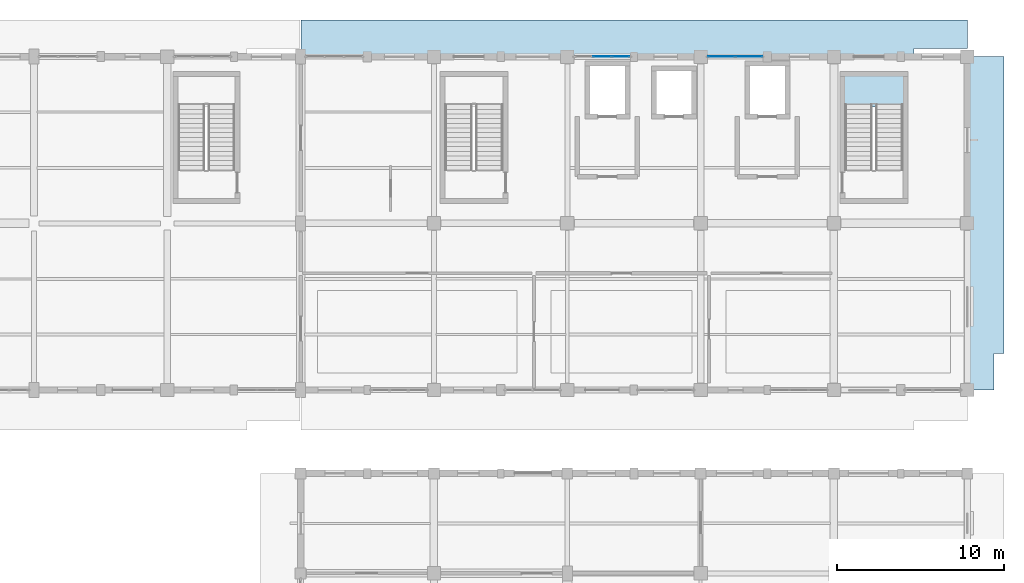
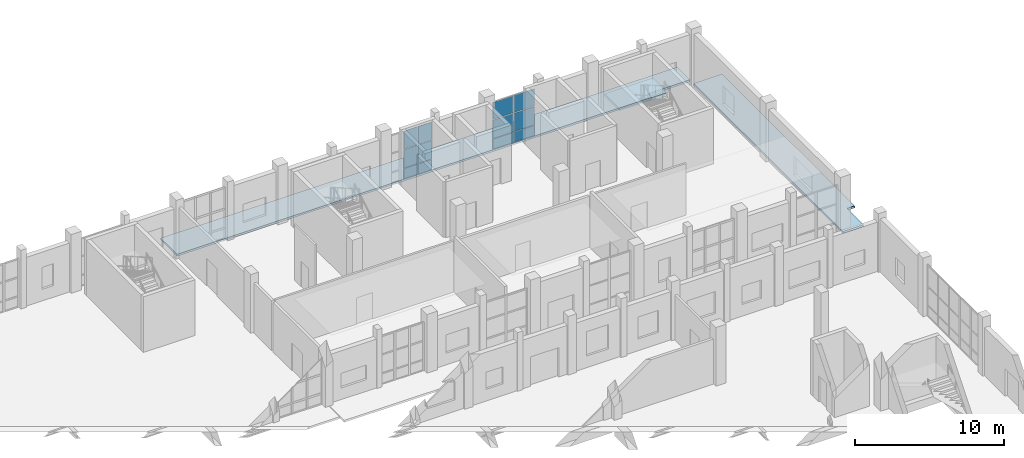
# One storey, part 119 of 156: 12 plates, 3 slabs, 3 elements without a shape of their own.
"""IFC4 building model written with IfcOpenShell, lengths in metres."""

from ifc_helpers import new_model, si_unit, direction, frame, origin, origin_2d, place, context, subcontext, project, spatial, polyline, rectangle, outline, extrude, material, layer, layer_set, type_object, element, aggregate, save


model = new_model("IFC4")

# Units and contexts
model_context = context("Model", 3, precision=1e-05, world=origin(), true_north=direction((0.0, 1.0)))
body_context = subcontext(model_context, "Body", "Model", "MODEL_VIEW")
ifc_project = project(units=[si_unit("LENGTHUNIT", "METRE"), si_unit("AREAUNIT", "SQUARE_METRE"), si_unit("VOLUMEUNIT", "CUBIC_METRE"), si_unit("PLANEANGLEUNIT", "RADIAN"), si_unit("MASSUNIT", "GRAM", prefix="KILO")], contexts=[model_context])

# Site, building, storey
site_placement = place(None, origin())
site = spatial("IfcSite", under=ifc_project, at=site_placement, CompositionType="ELEMENT")
building_placement = place(site_placement, origin())
building = spatial("IfcBuilding", under=site, at=building_placement, Name="Luwemba Playhouse", CompositionType="ELEMENT")
storey_placement = place(building_placement, origin())
storey = spatial("IfcBuildingStorey", under=building, at=storey_placement, Name="L00", CompositionType="ELEMENT", Elevation=0.0)

# Curtain wall, plates
ifc_material_1 = material(Name="Solar-control double glazing", Category="glass")
curtain_wall_type_1 = type_object("IfcCurtainWallType", Name="CW-CW68", PredefinedType="USERDEFINED", material=ifc_material_1)
curtain_wall_1_placement = place(storey_placement, origin())
curtain_wall_1 = element("IfcCurtainWall", 1, at=curtain_wall_1_placement, inside=storey, type_object=curtain_wall_type_1, Name="L00 V6E unitised curtain wall 087", ObjectType="UNITISED GLAZING", PredefinedType="USERDEFINED")
ifc_layer_1 = layer(ifc_material_1, 0.02392578125)
ifc_layer_set_1 = layer_set([ifc_layer_1], Name="Solar-control double glazing")
plate_type_1 = type_object("IfcPlateType", Name="CWP-P1", PredefinedType="CURTAIN_PANEL", material=ifc_layer_set_1)
plate_1_placement = place(storey_placement, frame((157.25244140625, 115.0, 0.06005859375), z_axis=(0.0, 0.0, 1.0), x_axis=(1.0, 0.0, 0.0)))
plate_1 = element("IfcPlate", 2, at=plate_1_placement, type_object=plate_type_1, Name="CW68 panel 1.1", PredefinedType="CURTAIN_PANEL", context=body_context, shape_type="SweptSolid", body=[
    extrude(rectangle(XDim=1.5849609375, YDim=0.02392578125, at=origin_2d()), origin(), (0.0, 0.0, 1.0), 0.81005859375),
])
plate_2_placement = place(storey_placement, frame((157.25244140625, 115.0, 0.93017578125), z_axis=(0.0, 0.0, 1.0), x_axis=(1.0, 0.0, 0.0)))
plate_2 = element("IfcPlate", 3, at=plate_2_placement, type_object=plate_type_1, Name="CW68 panel 1.2", PredefinedType="CURTAIN_PANEL", context=body_context, shape_type="SweptSolid", body=[
    extrude(rectangle(XDim=1.5849609375, YDim=0.02392578125, at=origin_2d()), origin(), (0.0, 0.0, 1.0), 1.489990234375),
])
plate_3_placement = place(storey_placement, frame((157.25244140625, 115.0, 2.47998046875), z_axis=(0.0, 0.0, 1.0), x_axis=(1.0, 0.0, 0.0)))
plate_3 = element("IfcPlate", 4, at=plate_3_placement, type_object=plate_type_1, Name="CW68 panel 1.3", PredefinedType="CURTAIN_PANEL", context=body_context, shape_type="SweptSolid", body=[
    extrude(rectangle(XDim=1.5849609375, YDim=0.02392578125, at=origin_2d()), origin(), (0.0, 0.0, 1.0), 1.39501953125),
])
plate_4_placement = place(storey_placement, frame((158.8974609375, 115.0, 0.06005859375), z_axis=(0.0, 0.0, 1.0), x_axis=(1.0, 0.0, 0.0)))
plate_4 = element("IfcPlate", 5, at=plate_4_placement, type_object=plate_type_1, Name="CW68 panel 2.1", PredefinedType="CURTAIN_PANEL", context=body_context, shape_type="SweptSolid", body=[
    extrude(rectangle(XDim=1.5849609375, YDim=0.02392578125, at=origin_2d()), origin(), (0.0, 0.0, 1.0), 0.81005859375),
])
plate_5_placement = place(storey_placement, frame((158.8974609375, 115.0, 0.93017578125), z_axis=(0.0, 0.0, 1.0), x_axis=(1.0, 0.0, 0.0)))
plate_5 = element("IfcPlate", 6, at=plate_5_placement, type_object=plate_type_1, Name="CW68 panel 2.2", PredefinedType="CURTAIN_PANEL", context=body_context, shape_type="SweptSolid", body=[
    extrude(rectangle(XDim=1.5849609375, YDim=0.02392578125, at=origin_2d()), origin(), (0.0, 0.0, 1.0), 1.489990234375),
])
plate_6_placement = place(storey_placement, frame((158.8974609375, 115.0, 2.47998046875), z_axis=(0.0, 0.0, 1.0), x_axis=(1.0, 0.0, 0.0)))
plate_6 = element("IfcPlate", 7, at=plate_6_placement, type_object=plate_type_1, Name="CW68 panel 2.3", PredefinedType="CURTAIN_PANEL", context=body_context, shape_type="SweptSolid", body=[
    extrude(rectangle(XDim=1.5849609375, YDim=0.02392578125, at=origin_2d()), origin(), (0.0, 0.0, 1.0), 1.39501953125),
])
aggregate(curtain_wall_1, [plate_1, plate_2, plate_3, plate_4, plate_5, plate_6])

curtain_wall_type_2 = type_object("IfcCurtainWallType", Name="CW-CW67", PredefinedType="USERDEFINED", material=ifc_material_1)
curtain_wall_2_placement = place(storey_placement, origin())
curtain_wall_2 = element("IfcCurtainWall", 8, at=curtain_wall_2_placement, inside=storey, type_object=curtain_wall_type_2, Name="L00 V6E unitised curtain wall 086", ObjectType="UNITISED GLAZING", PredefinedType="USERDEFINED")
ifc_layer_2 = layer(ifc_material_1, 0.035888671875)
ifc_layer_set_2 = layer_set([ifc_layer_2], Name="Solar-control double glazing")
plate_type_2 = type_object("IfcPlateType", Name="CWP-P4", PredefinedType="CURTAIN_PANEL", material=ifc_layer_set_2)
plate_7_placement = place(storey_placement, frame((150.10009765625, 115.0, 0.0498046875), z_axis=(0.0, 0.0, 1.0), x_axis=(1.0, 0.0, 0.0)))
plate_7 = element("IfcPlate", 9, at=plate_7_placement, type_object=plate_type_2, Name="CW67 panel 2.1", PredefinedType="CURTAIN_PANEL", context=body_context, shape_type="SweptSolid", body=[
    extrude(rectangle(XDim=1.063232421875, YDim=0.035888671875, at=origin_2d()), origin(), (0.0, 0.0, 1.0), 0.824951171875),
])
plate_8_placement = place(storey_placement, frame((150.10009765625, 115.0, 0.925048828125), z_axis=(0.0, 0.0, 1.0), x_axis=(1.0, 0.0, 0.0)))
plate_8 = element("IfcPlate", 10, at=plate_8_placement, type_object=plate_type_2, Name="CW67 panel 2.2", PredefinedType="CURTAIN_PANEL", context=body_context, shape_type="SweptSolid", body=[
    extrude(rectangle(XDim=1.063232421875, YDim=0.035888671875, at=origin_2d()), origin(), (0.0, 0.0, 1.0), 1.5),
])
plate_9_placement = place(storey_placement, frame((150.10009765625, 115.0, 2.47509765625), z_axis=(0.0, 0.0, 1.0), x_axis=(1.0, 0.0, 0.0)))
plate_9 = element("IfcPlate", 11, at=plate_9_placement, type_object=plate_type_2, Name="CW67 panel 2.3", PredefinedType="CURTAIN_PANEL", context=body_context, shape_type="SweptSolid", body=[
    extrude(rectangle(XDim=1.063232421875, YDim=0.035888671875, at=origin_2d()), origin(), (0.0, 0.0, 1.0), 1.4599609375),
])
plate_10_placement = place(storey_placement, frame((151.2158203125, 115.0, 0.0498046875), z_axis=(0.0, 0.0, 1.0), x_axis=(1.0, 0.0, 0.0)))
plate_10 = element("IfcPlate", 12, at=plate_10_placement, type_object=plate_type_2, Name="CW67 panel 3.1", PredefinedType="CURTAIN_PANEL", context=body_context, shape_type="SweptSolid", body=[
    extrude(rectangle(XDim=1.0283203125, YDim=0.035888671875, at=origin_2d()), origin(), (0.0, 0.0, 1.0), 0.824951171875),
])
plate_11_placement = place(storey_placement, frame((151.2158203125, 115.0, 0.925048828125), z_axis=(0.0, 0.0, 1.0), x_axis=(1.0, 0.0, 0.0)))
plate_11 = element("IfcPlate", 13, at=plate_11_placement, type_object=plate_type_2, Name="CW67 panel 3.2", PredefinedType="CURTAIN_PANEL", context=body_context, shape_type="SweptSolid", body=[
    extrude(rectangle(XDim=1.0283203125, YDim=0.035888671875, at=origin_2d()), origin(), (0.0, 0.0, 1.0), 1.5),
])
plate_12_placement = place(storey_placement, frame((151.2158203125, 115.0, 2.47509765625), z_axis=(0.0, 0.0, 1.0), x_axis=(1.0, 0.0, 0.0)))
plate_12 = element("IfcPlate", 14, at=plate_12_placement, type_object=plate_type_2, Name="CW67 panel 3.3", PredefinedType="CURTAIN_PANEL", context=body_context, shape_type="SweptSolid", body=[
    extrude(rectangle(XDim=1.0283203125, YDim=0.035888671875, at=origin_2d()), origin(), (0.0, 0.0, 1.0), 1.4599609375),
])
aggregate(curtain_wall_2, [plate_7, plate_8, plate_9, plate_10, plate_11, plate_12])

# Stair, slab
ifc_material_2 = material(Name="Concrete C40/50", Category="concrete")
stair_type = type_object("IfcStairType", Name="STR-DL-03", PredefinedType="HALF_TURN_STAIR", material=ifc_material_2)
stair_placement = place(storey_placement, origin())
stair = element("IfcStair", 15, at=stair_placement, inside=storey, type_object=stair_type, Name="L00 Conservatory East Escape Stair", PredefinedType="HALF_TURN_STAIR")
ifc_layer_3 = layer(ifc_material_2, 0.215087890625)
ifc_layer_set_3 = layer_set([ifc_layer_3], Name="Concrete C40/50")
slab_type_1 = type_object("IfcSlabType", Name="SLB-LND-215", PredefinedType="LANDING", material=ifc_layer_set_3)
slab_1_placement = place(storey_placement, frame((0.0, 0.0, 2.199951171875)))
slab_1 = element("IfcSlab", 16, at=slab_1_placement, type_object=slab_type_1, Name="ST-10 landing 1", PredefinedType="LANDING", context=body_context, shape_type="SweptSolid", body=[
    extrude(outline(polyline([(168.2900390625, 111.97998046875), (164.510009765625, 111.97998046875), (164.510009765625, 113.9599609375), (168.2900390625, 113.9599609375), (168.2900390625, 111.97998046875)])), origin(), (0.0, 0.0, 1.0), 0.199951171875),
])
aggregate(stair, [slab_1])

# Slabs
ifc_material_3 = material(Name="Concrete C32/40", Category="concrete")
ifc_layer_4 = layer(ifc_material_3, 0.159912109375)
ifc_layer_set_4 = layer_set([ifc_layer_4], Name="Concrete C32/40")
slab_type_2 = type_object("IfcSlabType", Name="SLB-PAV-160", PredefinedType="USERDEFINED", material=ifc_layer_set_4)
slab_2_placement = place(storey_placement, frame((0.0, 0.0, -0.159912109375)))
element("IfcSlab", 17, at=slab_2_placement, inside=storey, type_object=slab_type_2, Name="L00 external civic plaza paving PAV-EAST-V6E", ObjectType="PAVING", PredefinedType="USERDEFINED", context=body_context, shape_type="SweptSolid", body=[
    extrude(outline(polyline([(172.0, 95.0), (173.60009765625, 95.0), (173.60009765625, 97.199951171875), (174.199951171875, 97.199951171875), (174.199951171875, 115.0), (172.0, 115.0), (172.0, 95.0)])), origin(), (0.0, 0.0, 1.0), 0.159912109375),
])
slab_3_placement = place(storey_placement, frame((0.0, 0.0, -0.159912109375)))
element("IfcSlab", 18, at=slab_3_placement, inside=storey, type_object=slab_type_2, Name="L00 external civic plaza paving PAV-NV6E-E", ObjectType="PAVING", PredefinedType="USERDEFINED", context=body_context, shape_type="SweptSolid", body=[
    extrude(outline(polyline([(132.030029296875, 115.0), (168.800048828125, 115.0), (168.800048828125, 115.47998046875), (172.0, 115.47998046875), (172.0, 117.199951171875), (132.030029296875, 117.199951171875), (132.030029296875, 115.0)])), origin(), (0.0, 0.0, 1.0), 0.159912109375),
])

save(model, "model.ifc")
